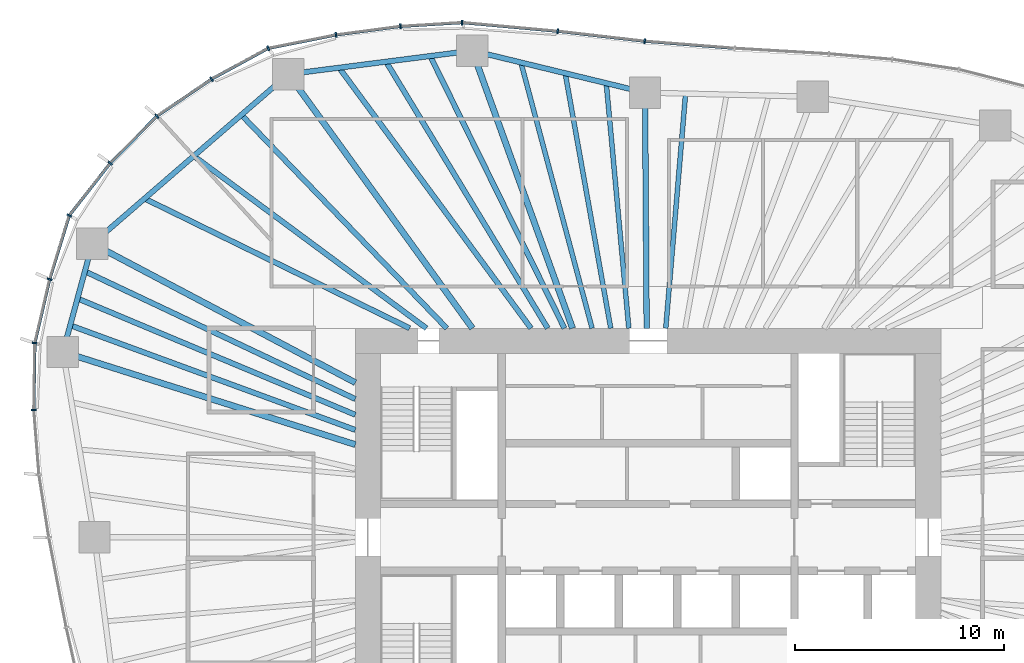
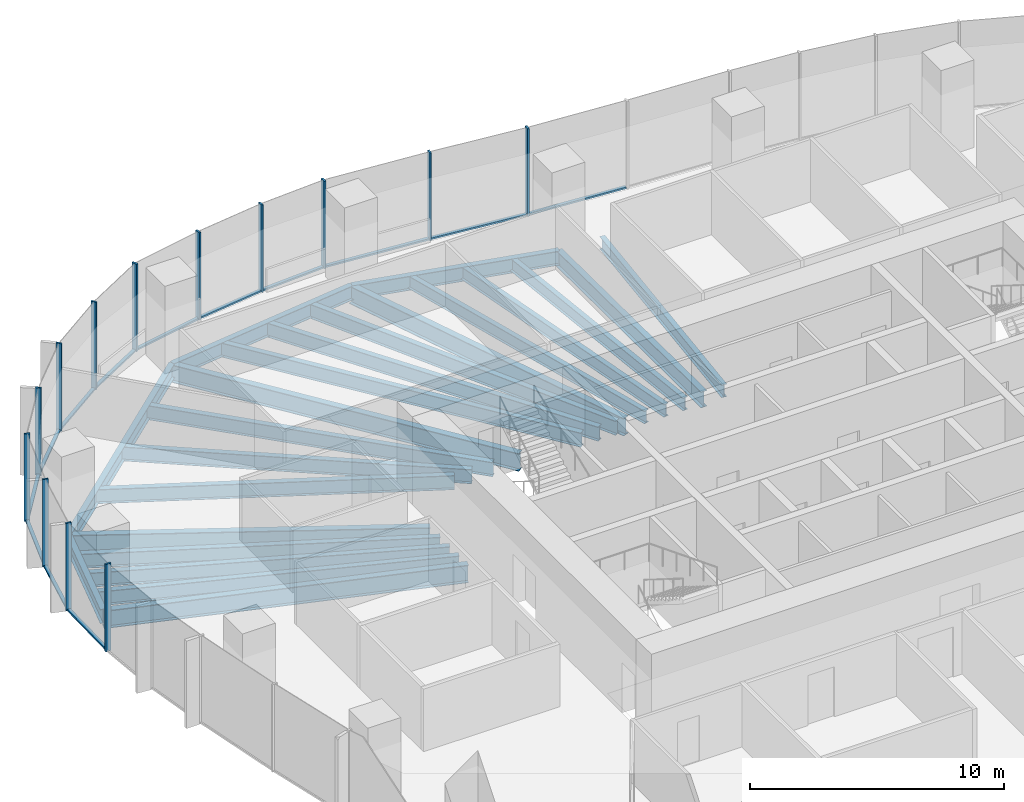
# One storey, part 5 of 18: 26 members, 22 beams, 6 elements without a shape of their own.
"""IFC4 building model written with IfcOpenShell, lengths in metres."""

import ifcopenshell
import ifcopenshell.guid

model = None  # the IFC model being written
_history = None  # IfcOwnerHistory: only IFC2X3 demands one
_inside = {}  # id of a spatial element -> (the spatial element, [elements in it])
_under = {}  # id of a project, library or spatial element -> (it, [spatial elements below it])
_declared = {}  # id of a project -> (the project, [libraries it declares])
_typed = {}  # id of a type object -> (the type object, [elements of that type])
_made_of = {}  # id of a material, layer set ... -> (it, [elements and type objects made of it])


def new_model(schema):
    """Start an empty IFC model of exactly this schema.

    Asked for "IFC4X3", IfcOpenShell would pick the latest addendum, in which some entities
    have other attributes; the version numbers below select the first issue.
    IFC2X3 requires an IfcOwnerHistory on every rooted entity: one is made here for all.
    """
    global model, _history
    if schema == "IFC4X3":
        model = ifcopenshell.file(schema_version=(4, 3, 0, 0))
    else:
        model = ifcopenshell.file(schema=schema)
    _inside.clear()
    _under.clear()
    _declared.clear()
    _typed.clear()
    _made_of.clear()
    _history = None
    if model.schema == "IFC2X3":
        org = make("IfcOrganization", Name="unknown")
        user = make(
            "IfcPersonAndOrganization",
            ThePerson=make("IfcPerson", FamilyName="unknown"),
            TheOrganization=org,
        )
        app = make(
            "IfcApplication",
            ApplicationDeveloper=org,
            Version="unknown",
            ApplicationFullName="unknown",
            ApplicationIdentifier="unknown",
        )
        _history = make(
            "IfcOwnerHistory",
            OwningUser=user,
            OwningApplication=app,
            ChangeAction="ADDED",
            CreationDate=0,
        )
    return model


def make(cls, **values):
    """One entity of the class cls with the attributes given. An attribute that is None is left unset."""
    return model.create_entity(
        cls, **{name: value for name, value in values.items() if value is not None}
    )


def rooted(cls, **values):
    """An entity with a GlobalId (a new one), such as an element, a storey or a relation."""
    return make(cls, GlobalId=ifcopenshell.guid.new(), OwnerHistory=_history, **values)


def si_unit(unit_type, name, prefix=None):
    """IfcSIUnit, for example si_unit("LENGTHUNIT", "METRE", prefix="MILLI")."""
    return make("IfcSIUnit", UnitType=unit_type, Prefix=prefix, Name=name)


def assignment(units):
    """IfcUnitAssignment: the units of a project."""
    return None if units is None else make("IfcUnitAssignment", Units=units)


def point(xyz):
    """IfcCartesianPoint."""
    return None if xyz is None else make("IfcCartesianPoint", Coordinates=xyz)


def direction(xyz):
    """IfcDirection."""
    return None if xyz is None else make("IfcDirection", DirectionRatios=xyz)


def frame(location, z_axis=None, x_axis=None):
    """IfcAxis2Placement3D, a coordinate frame: its origin and axes. An axis left out is left unset."""
    return make(
        "IfcAxis2Placement3D",
        Location=point(location),
        Axis=direction(z_axis),
        RefDirection=direction(x_axis),
    )


def frame_2d(location, x_axis=None):
    """IfcAxis2Placement2D, a coordinate frame in the plane: its origin and x axis."""
    return make(
        "IfcAxis2Placement2D", Location=point(location), RefDirection=direction(x_axis)
    )


def origin():
    """The frame at (0, 0, 0) with its axes left unset."""
    return frame((0.0, 0.0, 0.0))


def origin_2d():
    """The frame at (0, 0) in the plane with its x axis left unset."""
    return frame_2d((0.0, 0.0))


def place(relative_to, where):
    """IfcLocalPlacement: puts the frame where relative to a parent placement (None: the world)."""
    return make(
        "IfcLocalPlacement", PlacementRelTo=relative_to, RelativePlacement=where
    )


def context(
    kind, dimensions, precision=None, world=None, true_north=None, identifier=None
):
    """IfcGeometricRepresentationContext, for example the 3D "Model" context."""
    return make(
        "IfcGeometricRepresentationContext",
        ContextIdentifier=identifier,
        ContextType=kind,
        CoordinateSpaceDimension=dimensions,
        Precision=precision,
        WorldCoordinateSystem=world,
        TrueNorth=true_north,
    )


def subcontext(parent, identifier, kind, view, scale=None):
    """IfcGeometricRepresentationSubContext, for example "Body" below "Model"."""
    return make(
        "IfcGeometricRepresentationSubContext",
        ContextIdentifier=identifier,
        ContextType=kind,
        ParentContext=parent,
        TargetScale=scale,
        TargetView=view,
    )


def project(units=None, contexts=None):
    """IfcProject with its units and contexts."""
    return rooted(
        "IfcProject",
        Name="project",
        RepresentationContexts=contexts,
        UnitsInContext=assignment(units),
    )


def spatial(cls, under=None, at=None, **own):
    """A site, building, storey or space (cls), placed at a placement, below another one or the project."""
    s = rooted(cls, ObjectPlacement=at, **own)
    if under is not None:
        _under.setdefault(under.id(), (under, []))[1].append(s)
    return s


def profile(cls, at=None, kind="AREA", **sizes):
    """A parametric profile (cls). Its sizes go by their IFC names, for example OverallWidth=200.0."""
    return make(cls, ProfileType=kind, Position=at, **sizes)


def rectangle(**sizes):
    """IfcRectangleProfileDef."""
    return profile("IfcRectangleProfileDef", **sizes)


def i_section(**sizes):
    """IfcIShapeProfileDef."""
    return profile("IfcIShapeProfileDef", **sizes)


def extrude(swept, where, along, depth):
    """IfcExtrudedAreaSolid: the profile swept, set in the frame where, extruded along a direction by depth."""
    return make(
        "IfcExtrudedAreaSolid",
        SweptArea=swept,
        Position=where,
        ExtrudedDirection=direction(along),
        Depth=depth,
    )


def shape(context_of_items, identifier, shape_type, items):
    """IfcShapeRepresentation: the items that make up one representation, for example the "Body"."""
    return make(
        "IfcShapeRepresentation",
        ContextOfItems=context_of_items,
        RepresentationIdentifier=identifier,
        RepresentationType=shape_type,
        Items=items,
    )


def material(Name=None, Category=None):
    """IfcMaterial."""
    return make("IfcMaterial", Name=Name, Category=Category)


def material_profile(
    of_material, cross_section, Name=None, Category=None, Priority=None
):
    """IfcMaterialProfile: a cross section and its material."""
    return make(
        "IfcMaterialProfile",
        Name=Name,
        Material=of_material,
        Profile=cross_section,
        Priority=Priority,
        Category=Category,
    )


def profile_set(profiles, Name=None, composite=None):
    """IfcMaterialProfileSet."""
    return make(
        "IfcMaterialProfileSet",
        Name=Name,
        MaterialProfiles=profiles,
        CompositeProfile=composite,
    )


def made_of(thing, what):
    """Note that an element or type object is made of a material, layer set ...; save() writes the relation."""
    if what is not None:
        _made_of.setdefault(what.id(), (what, []))[1].append(thing)
    return thing


def type_object(cls, material=None, **own):
    """A type object (cls), such as IfcWallType, which elements share."""
    return made_of(rooted(cls, **own), material)


def element(
    cls,
    number,
    at=None,
    inside=None,
    cuts=None,
    type_object=None,
    material=None,
    context=None,
    identifier="Body",
    shape_type=None,
    held_by="IfcProductDefinitionShape",
    body=None,
    shapes=None,
    **own,
):
    """One element of the class cls, such as IfcWall. Its Tag is "e" and its number.

    at: its placement. inside: the storey or other place that contains it. cuts: it is an
    opening in that element (IfcRelVoidsElement). A single representation is given by context,
    identifier, shape_type and body (its items); several are given by shapes. held_by: the class
    of the entity that holds the representations. save() writes the other relations.
    """
    e = rooted(cls, Tag="e%d" % number, ObjectPlacement=at, **own)
    if body is not None:
        shapes = [shape(context, identifier, shape_type, body)]
    if shapes is not None:
        e.Representation = make(held_by, Representations=shapes)
    if inside is not None:
        _inside.setdefault(inside.id(), (inside, []))[1].append(e)
    if cuts is not None:
        rooted(
            "IfcRelVoidsElement", RelatingBuildingElement=cuts, RelatedOpeningElement=e
        )
    if type_object is not None:
        _typed.setdefault(type_object.id(), (type_object, []))[1].append(e)
    return made_of(e, material)


def aggregate(whole, parts):
    """IfcRelAggregates: a whole, such as a stair, and the parts it consists of."""
    return rooted("IfcRelAggregates", RelatingObject=whole, RelatedObjects=parts)


def save(model, path):
    """Write the relations noted so far, then the file.

    IfcRelAggregates (storeys below a building ...), IfcRelContainedInSpatialStructure (elements
    in a storey), IfcRelDefinesByType, IfcRelAssociatesMaterial and IfcRelDeclares: one each for
    every whole, place, type object, material and project.
    """
    for whole, parts in _under.values():
        aggregate(whole, parts)
    for where, things in _inside.values():
        rooted(
            "IfcRelContainedInSpatialStructure",
            RelatedElements=things,
            RelatingStructure=where,
        )
    for kind, things in _typed.values():
        rooted("IfcRelDefinesByType", RelatedObjects=things, RelatingType=kind)
    for what, things in _made_of.values():
        rooted("IfcRelAssociatesMaterial", RelatedObjects=things, RelatingMaterial=what)
    for by, libraries in _declared.values():
        rooted("IfcRelDeclares", RelatingContext=by, RelatedDefinitions=libraries)
    model.write(path)


model = new_model("IFC4")

# Units and contexts
model_context = context("Model", 3, precision=1e-05, world=origin(), true_north=direction((0.0, 1.0)))
body_context = subcontext(model_context, "Body", "Model", "MODEL_VIEW")
ifc_project = project(units=[si_unit("LENGTHUNIT", "METRE"), si_unit("AREAUNIT", "SQUARE_METRE"), si_unit("VOLUMEUNIT", "CUBIC_METRE"), si_unit("PLANEANGLEUNIT", "RADIAN"), si_unit("MASSUNIT", "GRAM", prefix="KILO")], contexts=[model_context])

# Site, building, storey
site_placement = place(None, origin())
site = spatial("IfcSite", under=ifc_project, at=site_placement, CompositionType="ELEMENT")
building_placement = place(site_placement, origin())
building = spatial("IfcBuilding", under=site, at=building_placement, Name="Ghaith Harvest Tower", CompositionType="ELEMENT")
storey_placement = place(building_placement, frame((0.0, 0.0, 121.800048828125)))
storey = spatial("IfcBuildingStorey", under=building, at=storey_placement, Name="L25", CompositionType="ELEMENT", Elevation=121.800048828125)

# Curtain wall, members
ifc_material_1 = material(Name="Black anodised aluminium and fritted glass", Category="aluminium")
curtain_wall_type = type_object("IfcCurtainWallType", Name="CW-L CURTAIN WALL", PredefinedType="NOTDEFINED", material=ifc_material_1)
curtain_wall_1_placement = place(storey_placement, origin())
curtain_wall_1 = element("IfcCurtainWall", 1, at=curtain_wall_1_placement, inside=storey, type_object=curtain_wall_type, Name="Curtain wall CW-L bay 06 L25", PredefinedType="NOTDEFINED")
ifc_material_2 = material(Name="Aluminium, black anodised", Category="aluminium")
ifc_material_profile_1 = material_profile(ifc_material_2, rectangle(XDim=0.080078125, YDim=0.239990234375, at=origin_2d()), Name="CW-L MULLION 80x240")
ifc_profile_set_1 = profile_set([ifc_material_profile_1], Name="Aluminium, black anodised")
member_type_1 = type_object("IfcMemberType", Name="CW-L MULLION 80x240", PredefinedType="MULLION", material=ifc_profile_set_1)
member_1_placement = place(storey_placement, frame((-0.162353515625, 23.729736328125, 0.0), z_axis=(0.0, 0.0, 1.0), x_axis=(-0.995388088953, 0.095929934691, 0.0)))
member_1 = element("IfcMember", 2, at=member_1_placement, type_object=member_type_1, Name="CW-L mullion 1 bay 06 L25", PredefinedType="MULLION", context=body_context, shape_type="SweptSolid", body=[
    extrude(rectangle(XDim=0.080078125, YDim=0.239990234375, at=origin_2d()), origin(), (0.0, 0.0, 1.0), 4.199951171875),
])
member_2_placement = place(storey_placement, frame((-4.322998046875, 24.207275390625, 0.0), z_axis=(0.0, 0.0, 1.0), x_axis=(-0.994830371571, 0.101550636625, 0.0)))
member_2 = element("IfcMember", 3, at=member_2_placement, type_object=member_type_1, Name="CW-L mullion 2 bay 06 L25", PredefinedType="MULLION", context=body_context, shape_type="SweptSolid", body=[
    extrude(rectangle(XDim=0.080078125, YDim=0.239990234375, at=origin_2d()), origin(), (0.0, 0.0, 1.0), 4.199951171875),
])

curtain_wall_2_placement = place(storey_placement, origin())
curtain_wall_2 = element("IfcCurtainWall", 4, at=curtain_wall_2_placement, inside=storey, type_object=curtain_wall_type, Name="Curtain wall CW-L bay 07 L25", PredefinedType="NOTDEFINED")
member_3_placement = place(storey_placement, frame((-8.892578125, 24.620849609375, 0.0), z_axis=(0.0, 0.0, 1.0), x_axis=(-0.999522209385, 0.030908784286, 0.0)))
member_3 = element("IfcMember", 5, at=member_3_placement, type_object=member_type_1, Name="CW-L mullion 1 bay 07 L25", PredefinedType="MULLION", context=body_context, shape_type="SweptSolid", body=[
    extrude(rectangle(XDim=0.080078125, YDim=0.239990234375, at=origin_2d()), origin(), (0.0, 0.0, 1.0), 4.199951171875),
])
member_4_placement = place(storey_placement, frame((-11.841064453125, 24.439697265625, 0.0), z_axis=(0.0, 0.0, 1.0), x_axis=(-0.995237520168, -0.097479630949, 0.0)))
member_4 = element("IfcMember", 6, at=member_4_placement, type_object=member_type_1, Name="CW-L mullion 2 bay 07 L25", PredefinedType="MULLION", context=body_context, shape_type="SweptSolid", body=[
    extrude(rectangle(XDim=0.080078125, YDim=0.239990234375, at=origin_2d()), origin(), (0.0, 0.0, 1.0), 4.199951171875),
])
member_5_placement = place(storey_placement, frame((-14.923828125, 24.030029296875, 0.0), z_axis=(0.0, 0.0, 1.0), x_axis=(-0.986494514812, -0.163794298578, 0.0)))
member_5 = element("IfcMember", 7, at=member_5_placement, type_object=member_type_1, Name="CW-L mullion 3 bay 07 L25", PredefinedType="MULLION", context=body_context, shape_type="SweptSolid", body=[
    extrude(rectangle(XDim=0.080078125, YDim=0.239990234375, at=origin_2d()), origin(), (0.0, 0.0, 1.0), 4.199951171875),
])

curtain_wall_3_placement = place(storey_placement, origin())
curtain_wall_3 = element("IfcCurtainWall", 8, at=curtain_wall_3_placement, inside=storey, type_object=curtain_wall_type, Name="Curtain wall CW-L bay 08 L25", PredefinedType="NOTDEFINED")
member_6_placement = place(storey_placement, frame((-18.165283203125, 23.3896484375, 0.0), z_axis=(0.0, 0.0, 1.0), x_axis=(-0.942103541202, -0.335322110298, 0.0)))
member_6 = element("IfcMember", 9, at=member_6_placement, type_object=member_type_1, Name="CW-L mullion 1 bay 08 L25", PredefinedType="MULLION", context=body_context, shape_type="SweptSolid", body=[
    extrude(rectangle(XDim=0.080078125, YDim=0.239990234375, at=origin_2d()), origin(), (0.0, 0.0, 1.0), 4.199951171875),
])
member_7_placement = place(storey_placement, frame((-20.87548828125, 21.91162109375, 0.0), z_axis=(0.0, 0.0, 1.0), x_axis=(-0.853515864435, -0.521066856707, 0.0)))
member_7 = element("IfcMember", 10, at=member_7_placement, type_object=member_type_1, Name="CW-L mullion 2 bay 08 L25", PredefinedType="MULLION", context=body_context, shape_type="SweptSolid", body=[
    extrude(rectangle(XDim=0.080078125, YDim=0.239990234375, at=origin_2d()), origin(), (0.0, 0.0, 1.0), 4.199951171875),
])
member_8_placement = place(storey_placement, frame((-23.489501953125, 20.13916015625, 0.0), z_axis=(0.0, 0.0, 1.0), x_axis=(-0.769682554376, -0.638426789451, 0.0)))
member_8 = element("IfcMember", 11, at=member_8_placement, type_object=member_type_1, Name="CW-L mullion 3 bay 08 L25", PredefinedType="MULLION", context=body_context, shape_type="SweptSolid", body=[
    extrude(rectangle(XDim=0.080078125, YDim=0.239990234375, at=origin_2d()), origin(), (0.0, 0.0, 1.0), 4.199951171875),
])

curtain_wall_4_placement = place(storey_placement, origin())
curtain_wall_4 = element("IfcCurtainWall", 12, at=curtain_wall_4_placement, inside=storey, type_object=curtain_wall_type, Name="Curtain wall CW-L bay 09 L25", PredefinedType="NOTDEFINED")
member_9_placement = place(storey_placement, frame((-25.718017578125, 17.894775390625, 0.0), z_axis=(0.0, 0.0, 1.0), x_axis=(-0.661903840688, -0.749588757708, 0.0)))
member_9 = element("IfcMember", 13, at=member_9_placement, type_object=member_type_1, Name="CW-L mullion 1 bay 09 L25", PredefinedType="MULLION", context=body_context, shape_type="SweptSolid", body=[
    extrude(rectangle(XDim=0.080078125, YDim=0.239990234375, at=origin_2d()), origin(), (0.0, 0.0, 1.0), 4.199951171875),
])
member_10_placement = place(storey_placement, frame((-27.67919921875, 15.39453125, 0.0), z_axis=(0.0, 0.0, 1.0), x_axis=(-0.462889784298, -0.886415843491, 0.0)))
member_10 = element("IfcMember", 14, at=member_10_placement, type_object=member_type_1, Name="CW-L mullion 2 bay 09 L25", PredefinedType="MULLION", context=body_context, shape_type="SweptSolid", body=[
    extrude(rectangle(XDim=0.080078125, YDim=0.239990234375, at=origin_2d()), origin(), (0.0, 0.0, 1.0), 4.199951171875),
])
member_11_placement = place(storey_placement, frame((-28.61669921875, 12.343994140625, 0.0), z_axis=(0.0, 0.0, 1.0), x_axis=(-0.260727312416, -0.965412486226, 0.0)))
member_11 = element("IfcMember", 15, at=member_11_placement, type_object=member_type_1, Name="CW-L mullion 3 bay 09 L25", PredefinedType="MULLION", context=body_context, shape_type="SweptSolid", body=[
    extrude(rectangle(XDim=0.080078125, YDim=0.239990234375, at=origin_2d()), origin(), (0.0, 0.0, 1.0), 4.199951171875),
])

curtain_wall_5_placement = place(storey_placement, origin())
curtain_wall_5 = element("IfcCurtainWall", 16, at=curtain_wall_5_placement, inside=storey, type_object=curtain_wall_type, Name="Curtain wall CW-L bay 10 L25", PredefinedType="NOTDEFINED")
member_12_placement = place(storey_placement, frame((-29.32666015625, 9.294189453125, 0.0), z_axis=(0.0, 0.0, 1.0), x_axis=(-0.120932140225, -0.99266077663, 0.0)))
member_12 = element("IfcMember", 17, at=member_12_placement, type_object=member_type_1, Name="CW-L mullion 1 bay 10 L25", PredefinedType="MULLION", context=body_context, shape_type="SweptSolid", body=[
    extrude(rectangle(XDim=0.080078125, YDim=0.239990234375, at=origin_2d()), origin(), (0.0, 0.0, 1.0), 4.199951171875),
])
member_13_placement = place(storey_placement, frame((-29.3779296875, 6.09619140625, 0.0), z_axis=(0.0, 0.0, 1.0), x_axis=(0.031027769448, -0.999518522851, 0.0)))
member_13 = element("IfcMember", 18, at=member_13_placement, type_object=member_type_1, Name="CW-L mullion 2 bay 10 L25", PredefinedType="MULLION", context=body_context, shape_type="SweptSolid", body=[
    extrude(rectangle(XDim=0.080078125, YDim=0.239990234375, at=origin_2d()), origin(), (0.0, 0.0, 1.0), 4.199951171875),
])

# Curtain wall, member
curtain_wall_6_placement = place(storey_placement, origin())
curtain_wall_6 = element("IfcCurtainWall", 19, at=curtain_wall_6_placement, inside=storey, type_object=curtain_wall_type, Name="Curtain wall CW-L bay 05 L25", PredefinedType="NOTDEFINED")
ifc_material_3 = material(Name="Aluminium, black anodised", Category="aluminium")
ifc_material_profile_2 = material_profile(ifc_material_3, rectangle(XDim=0.14990234375, YDim=0.080078125, at=origin_2d()), Name="CW-L TRANSOM 150x80")
ifc_profile_set_2 = profile_set([ifc_material_profile_2], Name="Aluminium, black anodised")
member_type_2 = type_object("IfcMemberType", Name="CW-L TRANSOM 150x80", PredefinedType="USERDEFINED", material=ifc_profile_set_2)
member_14_placement = place(storey_placement, frame((4.106689453125, 23.39404296875, 0.0400390625), z_axis=(-0.996923406046, 0.078381901463, 0.0), x_axis=(-0.078381901463, -0.996923406046, 0.0)))
member_14 = element("IfcMember", 20, at=member_14_placement, type_object=member_type_2, Name="CW-L transom 2 bay 05 L25", ObjectType="TRANSOM", PredefinedType="USERDEFINED", context=body_context, shape_type="SweptSolid", body=[
    extrude(rectangle(XDim=0.14990234375, YDim=0.080078125, at=origin_2d()), origin(), (0.0, 0.0, 1.0), 4.2421875),
])
aggregate(curtain_wall_6, [member_14])

# Member
member_15_placement = place(storey_placement, frame((-0.2021484375, 23.734130859375, 0.0400390625), z_axis=(-0.993474883942, 0.114051106861, 0.0), x_axis=(-0.114051106861, -0.993474883942, 0.0)))
member_15 = element("IfcMember", 21, at=member_15_placement, type_object=member_type_2, Name="CW-L transom 1 bay 06 L25", ObjectType="TRANSOM", PredefinedType="USERDEFINED", context=body_context, shape_type="SweptSolid", body=[
    extrude(rectangle(XDim=0.14990234375, YDim=0.080078125, at=origin_2d()), origin(), (0.0, 0.0, 1.0), 4.10791015625),
])

member_16_placement = place(storey_placement, frame((-4.36279296875, 24.210693359375, 0.0400390625), z_axis=(-0.995926431676, 0.090169521954, 0.0), x_axis=(-0.090169521954, -0.995926431676, 0.0)))
member_16 = element("IfcMember", 22, at=member_16_placement, type_object=member_type_2, Name="CW-L transom 2 bay 06 L25", ObjectType="TRANSOM", PredefinedType="USERDEFINED", context=body_context, shape_type="SweptSolid", body=[
    extrude(rectangle(XDim=0.14990234375, YDim=0.080078125, at=origin_2d()), origin(), (0.0, 0.0, 1.0), 4.508056640625),
])

aggregate(curtain_wall_1, [member_1, member_15, member_2, member_16])

member_17_placement = place(storey_placement, frame((-8.932373046875, 24.618408203125, 0.0400390625), z_axis=(-0.998117793577, -0.061325933705, 0.0), x_axis=(0.061325933705, -0.998117793577, 0.0)))
member_17 = element("IfcMember", 23, at=member_17_placement, type_object=member_type_2, Name="CW-L transom 1 bay 07 L25", ObjectType="TRANSOM", PredefinedType="USERDEFINED", context=body_context, shape_type="SweptSolid", body=[
    extrude(rectangle(XDim=0.14990234375, YDim=0.080078125, at=origin_2d()), origin(), (0.0, 0.0, 1.0), 2.874267578125),
])

member_18_placement = place(storey_placement, frame((-11.880859375, 24.434326171875, 0.0400390625), z_axis=(-0.991293929443, -0.131667556553, 0.0), x_axis=(0.131667556553, -0.991293929443, 0.0)))
member_18 = element("IfcMember", 24, at=member_18_placement, type_object=member_type_2, Name="CW-L transom 2 bay 07 L25", ObjectType="TRANSOM", PredefinedType="USERDEFINED", context=body_context, shape_type="SweptSolid", body=[
    extrude(rectangle(XDim=0.14990234375, YDim=0.080078125, at=origin_2d()), origin(), (0.0, 0.0, 1.0), 3.02978515625),
])

member_19_placement = place(storey_placement, frame((-14.963134765625, 24.022216796875, 0.0400390625), z_axis=(-0.98104391994, -0.19378551842, 0.0), x_axis=(0.19378551842, -0.98104391994, 0.0)))
member_19 = element("IfcMember", 25, at=member_19_placement, type_object=member_type_2, Name="CW-L transom 3 bay 07 L25", ObjectType="TRANSOM", PredefinedType="USERDEFINED", context=body_context, shape_type="SweptSolid", body=[
    extrude(rectangle(XDim=0.14990234375, YDim=0.080078125, at=origin_2d()), origin(), (0.0, 0.0, 1.0), 3.223876953125),
])

aggregate(curtain_wall_2, [member_3, member_17, member_4, member_18, member_5, member_19])

member_20_placement = place(storey_placement, frame((-18.200439453125, 23.37060546875, 0.0400390625), z_axis=(-0.877929702377, -0.478789554695, 0.0), x_axis=(0.478789554695, -0.877929702377, 0.0)))
member_20 = element("IfcMember", 26, at=member_20_placement, type_object=member_type_2, Name="CW-L transom 1 bay 08 L25", ObjectType="TRANSOM", PredefinedType="USERDEFINED", context=body_context, shape_type="SweptSolid", body=[
    extrude(rectangle(XDim=0.14990234375, YDim=0.080078125, at=origin_2d()), origin(), (0.0, 0.0, 1.0), 3.0068359375),
])

member_21_placement = place(storey_placement, frame((-20.908447265625, 21.88916015625, 0.0400390625), z_axis=(-0.827681025079, -0.561198824593, 0.0), x_axis=(0.561198824593, -0.827681025079, 0.0)))
member_21 = element("IfcMember", 27, at=member_21_placement, type_object=member_type_2, Name="CW-L transom 2 bay 08 L25", ObjectType="TRANSOM", PredefinedType="USERDEFINED", context=body_context, shape_type="SweptSolid", body=[
    extrude(rectangle(XDim=0.14990234375, YDim=0.080078125, at=origin_2d()), origin(), (0.0, 0.0, 1.0), 3.078369140625),
])

member_22_placement = place(storey_placement, frame((-23.517578125, 20.11083984375, 0.0400390625), z_axis=(-0.704647577514, -0.709557461735, 0.0), x_axis=(0.709557461735, -0.704647577514, 0.0)))
member_22 = element("IfcMember", 28, at=member_22_placement, type_object=member_type_2, Name="CW-L transom 3 bay 08 L25", ObjectType="TRANSOM", PredefinedType="USERDEFINED", context=body_context, shape_type="SweptSolid", body=[
    extrude(rectangle(XDim=0.14990234375, YDim=0.080078125, at=origin_2d()), origin(), (0.0, 0.0, 1.0), 3.0830078125),
])

aggregate(curtain_wall_3, [member_6, member_20, member_7, member_21, member_8, member_22])

member_23_placement = place(storey_placement, frame((-25.74267578125, 17.86328125, 0.0400390625), z_axis=(-0.617198298797, -0.786807638474, 0.0), x_axis=(0.786807638474, -0.617198298797, 0.0)))
member_23 = element("IfcMember", 29, at=member_23_placement, type_object=member_type_2, Name="CW-L transom 1 bay 09 L25", ObjectType="TRANSOM", PredefinedType="USERDEFINED", context=body_context, shape_type="SweptSolid", body=[
    extrude(rectangle(XDim=0.14990234375, YDim=0.080078125, at=origin_2d()), origin(), (0.0, 0.0, 1.0), 3.09765625),
])

member_24_placement = place(storey_placement, frame((-27.69091796875, 15.356201171875, 0.0400390625), z_axis=(-0.293777058804, -0.955873966441, 0.0), x_axis=(0.955873966441, -0.293777058804, 0.0)))
member_24 = element("IfcMember", 30, at=member_24_placement, type_object=member_type_2, Name="CW-L transom 2 bay 09 L25", ObjectType="TRANSOM", PredefinedType="USERDEFINED", context=body_context, shape_type="SweptSolid", body=[
    extrude(rectangle(XDim=0.14990234375, YDim=0.080078125, at=origin_2d()), origin(), (0.0, 0.0, 1.0), 3.111328125),
])

member_25_placement = place(storey_placement, frame((-28.6259765625, 12.304931640625, 0.0400390625), z_axis=(-0.226670598607, -0.973971477882, 0.0), x_axis=(0.973971477882, -0.226670598607, 0.0)))
member_25 = element("IfcMember", 31, at=member_25_placement, type_object=member_type_2, Name="CW-L transom 3 bay 09 L25", ObjectType="TRANSOM", PredefinedType="USERDEFINED", context=body_context, shape_type="SweptSolid", body=[
    extrude(rectangle(XDim=0.14990234375, YDim=0.080078125, at=origin_2d()), origin(), (0.0, 0.0, 1.0), 3.05126953125),
])

aggregate(curtain_wall_4, [member_9, member_23, member_10, member_24, member_11, member_25])

member_26_placement = place(storey_placement, frame((-29.327392578125, 9.254150390625, 0.0400390625), z_axis=(-0.015971652868, -0.999872445017, 0.0), x_axis=(0.999872445017, -0.015971652868, 0.0)))
member_26 = element("IfcMember", 32, at=member_26_placement, type_object=member_type_2, Name="CW-L transom 1 bay 10 L25", ObjectType="TRANSOM", PredefinedType="USERDEFINED", context=body_context, shape_type="SweptSolid", body=[
    extrude(rectangle(XDim=0.14990234375, YDim=0.080078125, at=origin_2d()), origin(), (0.0, 0.0, 1.0), 3.118408203125),
])

aggregate(curtain_wall_5, [member_12, member_26, member_13])

# Beams
ifc_material_4 = material(Name="Steel ASTM A992 Grade 50", Category="steel")
ifc_material_profile_3 = material_profile(ifc_material_4, i_section(OverallWidth=0.25390625, OverallDepth=0.68408203125, WebThickness=0.012451171875, FlangeThickness=0.018798828125, at=origin_2d()), Name="W690X140")
ifc_profile_set_3 = profile_set([ifc_material_profile_3], Name="Steel ASTM A992 Grade 50")
beam_type_1 = type_object("IfcBeamType", Name="E690-140 W690X140", PredefinedType="SPANDREL", material=ifc_profile_set_3)
beam_1_placement = place(storey_placement, frame((-0.14599609375, 21.27099609375, -0.511962890625), z_axis=(-0.971790293477, 0.235846614358, 0.0), x_axis=(-0.235846614358, -0.971790293477, 0.0)))
element("IfcBeam", 33, at=beam_1_placement, inside=storey, type_object=beam_type_1, Name="Edge beam E06 L25", PredefinedType="SPANDREL", context=body_context, shape_type="SweptSolid", body=[
    extrude(i_section(OverallWidth=0.25390625, OverallDepth=0.68408203125, WebThickness=0.012451171875, FlangeThickness=0.018798828125, at=origin_2d()), origin(), (0.0, 0.0, 1.0), 8.500732421875),
])
beam_2_placement = place(storey_placement, frame((-8.406982421875, 23.27587890625, -0.511962890625), z_axis=(-0.991904090065, -0.126989275577, 0.0), x_axis=(0.126989275577, -0.991904090065, 0.0)))
element("IfcBeam", 34, at=beam_2_placement, inside=storey, type_object=beam_type_1, Name="Edge beam E07 L25", PredefinedType="SPANDREL", context=body_context, shape_type="SweptSolid", body=[
    extrude(i_section(OverallWidth=0.25390625, OverallDepth=0.68408203125, WebThickness=0.012451171875, FlangeThickness=0.018798828125, at=origin_2d()), origin(), (0.0, 0.0, 1.0), 8.86669921875),
])
beam_3_placement = place(storey_placement, frame((-17.201904296875, 22.14990234375, -0.511962890625), z_axis=(-0.756392158274, -0.654118416574, 0.0), x_axis=(0.654118416574, -0.756392158274, 0.0)))
element("IfcBeam", 35, at=beam_3_placement, inside=storey, type_object=beam_type_1, Name="Edge beam E08 L25", PredefinedType="SPANDREL", context=body_context, shape_type="SweptSolid", body=[
    extrude(i_section(OverallWidth=0.25390625, OverallDepth=0.68408203125, WebThickness=0.012451171875, FlangeThickness=0.018798828125, at=origin_2d()), origin(), (0.0, 0.0, 1.0), 12.38916015625),
])
beam_4_placement = place(storey_placement, frame((-26.572998046875, 14.0458984375, -0.511962890625), z_axis=(-0.262724740433, -0.964870825947, 0.0), x_axis=(0.964870825947, -0.262724740433, 0.0)))
element("IfcBeam", 36, at=beam_4_placement, inside=storey, type_object=beam_type_1, Name="Edge beam E09 L25", PredefinedType="SPANDREL", context=body_context, shape_type="SweptSolid", body=[
    extrude(i_section(OverallWidth=0.25390625, OverallDepth=0.68408203125, WebThickness=0.012451171875, FlangeThickness=0.018798828125, at=origin_2d()), origin(), (0.0, 0.0, 1.0), 5.366455078125),
])
ifc_material_5 = material(Name="Steel ASTM A992 Grade 50", Category="steel")
ifc_material_profile_4 = material_profile(ifc_material_5, i_section(OverallWidth=0.26806640625, OverallDepth=0.77001953125, WebThickness=0.015625, FlangeThickness=0.025390625, at=origin_2d()), Name="W760X196")
ifc_profile_set_4 = profile_set([ifc_material_profile_4], Name="Steel ASTM A992 Grade 50")
beam_type_2 = type_object("IfcBeamType", Name="G760-196 W760X196", PredefinedType="BEAM", material=ifc_profile_set_4)
beam_5_placement = place(storey_placement, frame((-0.068359375, 10.0, -0.554931640625), z_axis=(-0.006888022705, 0.99997627729, 0.0), x_axis=(-0.99997627729, -0.006888022705, 0.0)))
element("IfcBeam", 37, at=beam_5_placement, inside=storey, type_object=beam_type_2, Name="Radial girder G06 L25", PredefinedType="BEAM", context=body_context, shape_type="SweptSolid", body=[
    extrude(i_section(OverallWidth=0.26806640625, OverallDepth=0.77001953125, WebThickness=0.015625, FlangeThickness=0.025390625, at=origin_2d()), origin(), (0.0, 0.0, 1.0), 11.271240234375),
])
ifc_material_6 = material(Name="Steel ASTM A992 Grade 50", Category="steel")
ifc_material_profile_5 = material_profile(ifc_material_6, i_section(OverallWidth=0.2939453125, OverallDepth=0.85107421875, WebThickness=0.01611328125, FlangeThickness=0.02685546875, at=origin_2d()), Name="W840X226")
ifc_profile_set_5 = profile_set([ifc_material_profile_5], Name="Steel ASTM A992 Grade 50")
beam_type_3 = type_object("IfcBeamType", Name="G840-226 W840X226", PredefinedType="BEAM", material=ifc_profile_set_5)
beam_6_placement = place(storey_placement, frame((-3.61181640625, 10.0, -0.595458984375), z_axis=(-0.339713316819, 0.940529033245, 0.0), x_axis=(-0.940529033245, -0.339713316819, 0.0)))
element("IfcBeam", 38, at=beam_6_placement, inside=storey, type_object=beam_type_3, Name="Radial girder G07 L25", PredefinedType="BEAM", context=body_context, shape_type="SweptSolid", body=[
    extrude(i_section(OverallWidth=0.2939453125, OverallDepth=0.85107421875, WebThickness=0.01611328125, FlangeThickness=0.02685546875, at=origin_2d()), origin(), (0.0, 0.0, 1.0), 14.115234375),
])
beam_7_placement = place(storey_placement, frame((-8.39990234375, 10.0, -0.595458984375), z_axis=(-0.586675813287, 0.809821887889, 0.0), x_axis=(-0.809821887889, -0.586675813287, 0.0)))
element("IfcBeam", 39, at=beam_7_placement, inside=storey, type_object=beam_type_3, Name="Radial girder G08 L25", PredefinedType="BEAM", context=body_context, shape_type="SweptSolid", body=[
    extrude(i_section(OverallWidth=0.2939453125, OverallDepth=0.85107421875, WebThickness=0.01611328125, FlangeThickness=0.02685546875, at=origin_2d()), origin(), (0.0, 0.0, 1.0), 15.003173828125),
])
beam_8_placement = place(storey_placement, frame((-14.0, 7.39990234375, -0.595458984375), z_axis=(-0.88408713845, 0.467322085533, 0.0), x_axis=(-0.467322085533, -0.88408713845, 0.0)))
element("IfcBeam", 40, at=beam_8_placement, inside=storey, type_object=beam_type_3, Name="Radial girder G09 L25", PredefinedType="BEAM", context=body_context, shape_type="SweptSolid", body=[
    extrude(i_section(OverallWidth=0.2939453125, OverallDepth=0.85107421875, WebThickness=0.01611328125, FlangeThickness=0.02685546875, at=origin_2d()), origin(), (0.0, 0.0, 1.0), 14.221435546875),
])
beam_9_placement = place(storey_placement, frame((-14.0, 4.43701171875, -0.595458984375), z_axis=(-0.953283605796, 0.302076756671, 0.0), x_axis=(-0.302076756671, -0.953283605796, 0.0)))
element("IfcBeam", 41, at=beam_9_placement, inside=storey, type_object=beam_type_3, Name="Radial girder G10 L25", PredefinedType="BEAM", context=body_context, shape_type="SweptSolid", body=[
    extrude(i_section(OverallWidth=0.2939453125, OverallDepth=0.85107421875, WebThickness=0.01611328125, FlangeThickness=0.02685546875, at=origin_2d()), origin(), (0.0, 0.0, 1.0), 14.668212890625),
])
ifc_material_7 = material(Name="Steel ASTM A992 Grade 50", Category="steel")
ifc_material_profile_6 = material_profile(ifc_material_7, i_section(OverallWidth=0.22900390625, OverallDepth=0.612060546875, WebThickness=0.011962890625, FlangeThickness=0.01953125, at=origin_2d()), Name="W610X125")
ifc_profile_set_6 = profile_set([ifc_material_profile_6], Name="Steel ASTM A992 Grade 50")
beam_type_4 = type_object("IfcBeamType", Name="J610-125 W610X125", PredefinedType="JOIST", material=ifc_profile_set_6)
beam_10_placement = place(storey_placement, frame((0.844970703125, 10.0, -0.47607421875), z_axis=(0.084213263804, 0.996447753873, 0.0), x_axis=(-0.996447753873, 0.084213263804, 0.0)))
element("IfcBeam", 42, at=beam_10_placement, inside=storey, type_object=beam_type_4, Name="Joist J05.3 L25", PredefinedType="JOIST", context=body_context, shape_type="SweptSolid", body=[
    extrude(i_section(OverallWidth=0.22900390625, OverallDepth=0.612060546875, WebThickness=0.011962890625, FlangeThickness=0.01953125, at=origin_2d()), origin(), (0.0, 0.0, 1.0), 11.262939453125),
])
beam_11_placement = place(storey_placement, frame((-0.92041015625, 10.0, -0.47607421875), z_axis=(-0.091659676302, 0.995790391468, 0.0), x_axis=(-0.995790391468, -0.091659676302, 0.0)))
element("IfcBeam", 43, at=beam_11_placement, inside=storey, type_object=beam_type_4, Name="Joist J06.1 L25", PredefinedType="JOIST", context=body_context, shape_type="SweptSolid", body=[
    extrude(i_section(OverallWidth=0.22900390625, OverallDepth=0.612060546875, WebThickness=0.011962890625, FlangeThickness=0.01953125, at=origin_2d()), origin(), (0.0, 0.0, 1.0), 11.770263671875),
])
beam_12_placement = place(storey_placement, frame((-1.785888671875, 10.0, -0.47607421875), z_axis=(-0.175794730188, 0.984426844838, 0.0), x_axis=(-0.984426844838, -0.175794730188, 0.0)))
element("IfcBeam", 44, at=beam_12_placement, inside=storey, type_object=beam_type_4, Name="Joist J06.2 L25", PredefinedType="JOIST", context=body_context, shape_type="SweptSolid", body=[
    extrude(i_section(OverallWidth=0.22900390625, OverallDepth=0.612060546875, WebThickness=0.011962890625, FlangeThickness=0.01953125, at=origin_2d()), origin(), (0.0, 0.0, 1.0), 12.390625),
])
beam_13_placement = place(storey_placement, frame((-2.677978515625, 10.0, -0.47607421875), z_axis=(-0.258692500157, 0.965959725021, 0.0), x_axis=(-0.965959725021, -0.258692500157, 0.0)))
element("IfcBeam", 45, at=beam_13_placement, inside=storey, type_object=beam_type_4, Name="Joist J06.3 L25", PredefinedType="JOIST", context=body_context, shape_type="SweptSolid", body=[
    extrude(i_section(OverallWidth=0.22900390625, OverallDepth=0.612060546875, WebThickness=0.011962890625, FlangeThickness=0.01953125, at=origin_2d()), origin(), (0.0, 0.0, 1.0), 13.15966796875),
])
ifc_material_8 = material(Name="Steel ASTM A992 Grade 50", Category="steel")
ifc_material_profile_7 = material_profile(ifc_material_8, i_section(OverallWidth=0.25390625, OverallDepth=0.68408203125, WebThickness=0.012451171875, FlangeThickness=0.018798828125, at=origin_2d()), Name="W690X140")
ifc_profile_set_7 = profile_set([ifc_material_profile_7], Name="Steel ASTM A992 Grade 50")
beam_type_5 = type_object("IfcBeamType", Name="J690-140 W690X140", PredefinedType="JOIST", material=ifc_profile_set_7)
beam_14_placement = place(storey_placement, frame((-4.0, 10.0, -0.511962890625), z_axis=(-0.442214455448, 0.896909346251, 0.0), x_axis=(-0.896909346251, -0.442214455448, 0.0)))
element("IfcBeam", 46, at=beam_14_placement, inside=storey, type_object=beam_type_5, Name="Joist J07.1 L25", PredefinedType="JOIST", context=body_context, shape_type="SweptSolid", body=[
    extrude(i_section(OverallWidth=0.25390625, OverallDepth=0.68408203125, WebThickness=0.012451171875, FlangeThickness=0.018798828125, at=origin_2d()), origin(), (0.0, 0.0, 1.0), 14.514892578125),
])
beam_15_placement = place(storey_placement, frame((-4.800048828125, 10.0, -0.511962890625), z_axis=(-0.51847337083, 0.855093774822, 0.0), x_axis=(-0.855093774822, -0.51847337083, 0.0)))
element("IfcBeam", 47, at=beam_15_placement, inside=storey, type_object=beam_type_5, Name="Joist J07.2 L25", PredefinedType="JOIST", context=body_context, shape_type="SweptSolid", body=[
    extrude(i_section(OverallWidth=0.25390625, OverallDepth=0.68408203125, WebThickness=0.012451171875, FlangeThickness=0.018798828125, at=origin_2d()), origin(), (0.0, 0.0, 1.0), 14.90869140625),
])
beam_16_placement = place(storey_placement, frame((-5.60009765625, 10.0, -0.511962890625), z_axis=(-0.592984827174, 0.805213632983, 0.0), x_axis=(-0.805213632983, -0.592984827174, 0.0)))
element("IfcBeam", 48, at=beam_16_placement, inside=storey, type_object=beam_type_5, Name="Joist J07.3 L25", PredefinedType="JOIST", context=body_context, shape_type="SweptSolid", body=[
    extrude(i_section(OverallWidth=0.25390625, OverallDepth=0.68408203125, WebThickness=0.012451171875, FlangeThickness=0.018798828125, at=origin_2d()), origin(), (0.0, 0.0, 1.0), 15.474609375),
])
beam_17_placement = place(storey_placement, frame((-9.626708984375, 10.0, -0.511962890625), z_axis=(-0.693535693616, 0.720422266231, 0.0), x_axis=(-0.720422266231, -0.693535693616, 0.0)))
element("IfcBeam", 49, at=beam_17_placement, inside=storey, type_object=beam_type_5, Name="Joist J08.1 L25", PredefinedType="JOIST", context=body_context, shape_type="SweptSolid", body=[
    extrude(i_section(OverallWidth=0.25390625, OverallDepth=0.68408203125, WebThickness=0.012451171875, FlangeThickness=0.018798828125, at=origin_2d()), origin(), (0.0, 0.0, 1.0), 14.16552734375),
])
beam_18_placement = place(storey_placement, frame((-10.60009765625, 10.0, -0.511962890625), z_axis=(-0.803663089107, 0.595084564752, 0.0), x_axis=(-0.595084564752, -0.803663089107, 0.0)))
element("IfcBeam", 50, at=beam_18_placement, inside=storey, type_object=beam_type_5, Name="Joist J08.2 L25", PredefinedType="JOIST", context=body_context, shape_type="SweptSolid", body=[
    extrude(i_section(OverallWidth=0.25390625, OverallDepth=0.68408203125, WebThickness=0.012451171875, FlangeThickness=0.018798828125, at=origin_2d()), origin(), (0.0, 0.0, 1.0), 13.843505859375),
])
beam_19_placement = place(storey_placement, frame((-11.39990234375, 10.0, -0.511962890625), z_axis=(-0.898274832354, 0.439434096946, 0.0), x_axis=(-0.439434096946, -0.898274832354, 0.0)))
element("IfcBeam", 51, at=beam_19_placement, inside=storey, type_object=beam_type_5, Name="Joist J08.3 L25", PredefinedType="JOIST", context=body_context, shape_type="SweptSolid", body=[
    extrude(i_section(OverallWidth=0.25390625, OverallDepth=0.68408203125, WebThickness=0.012451171875, FlangeThickness=0.018798828125, at=origin_2d()), origin(), (0.0, 0.0, 1.0), 14.114990234375),
])
beam_20_placement = place(storey_placement, frame((-14.0, 6.614990234375, -0.511962890625), z_axis=(-0.904153428261, 0.427207886354, 0.0), x_axis=(-0.427207886354, -0.904153428261, 0.0)))
element("IfcBeam", 52, at=beam_20_placement, inside=storey, type_object=beam_type_5, Name="Joist J09.1 L25", PredefinedType="JOIST", context=body_context, shape_type="SweptSolid", body=[
    extrude(i_section(OverallWidth=0.25390625, OverallDepth=0.68408203125, WebThickness=0.012451171875, FlangeThickness=0.018798828125, at=origin_2d()), origin(), (0.0, 0.0, 1.0), 14.303466796875),
])
beam_21_placement = place(storey_placement, frame((-14.0, 5.862548828125, -0.511962890625), z_axis=(-0.922385943167, 0.38626955853, 0.0), x_axis=(-0.38626955853, -0.922385943167, 0.0)))
element("IfcBeam", 53, at=beam_21_placement, inside=storey, type_object=beam_type_5, Name="Joist J09.2 L25", PredefinedType="JOIST", context=body_context, shape_type="SweptSolid", body=[
    extrude(i_section(OverallWidth=0.25390625, OverallDepth=0.68408203125, WebThickness=0.012451171875, FlangeThickness=0.018798828125, at=origin_2d()), origin(), (0.0, 0.0, 1.0), 14.404296875),
])
beam_22_placement = place(storey_placement, frame((-14.0, 5.137939453125, -0.511962890625), z_axis=(-0.93877541132, 0.344529718748, 0.0), x_axis=(-0.344529718748, -0.93877541132, 0.0)))
element("IfcBeam", 54, at=beam_22_placement, inside=storey, type_object=beam_type_5, Name="Joist J09.3 L25", PredefinedType="JOIST", context=body_context, shape_type="SweptSolid", body=[
    extrude(i_section(OverallWidth=0.25390625, OverallDepth=0.68408203125, WebThickness=0.012451171875, FlangeThickness=0.018798828125, at=origin_2d()), origin(), (0.0, 0.0, 1.0), 14.525390625),
])

save(model, "model.ifc")
